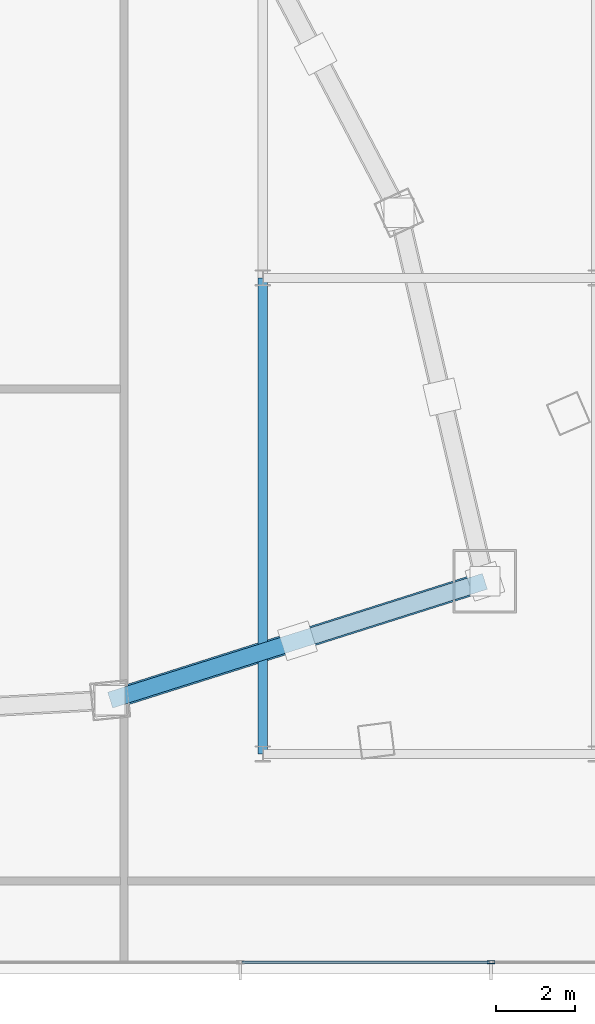
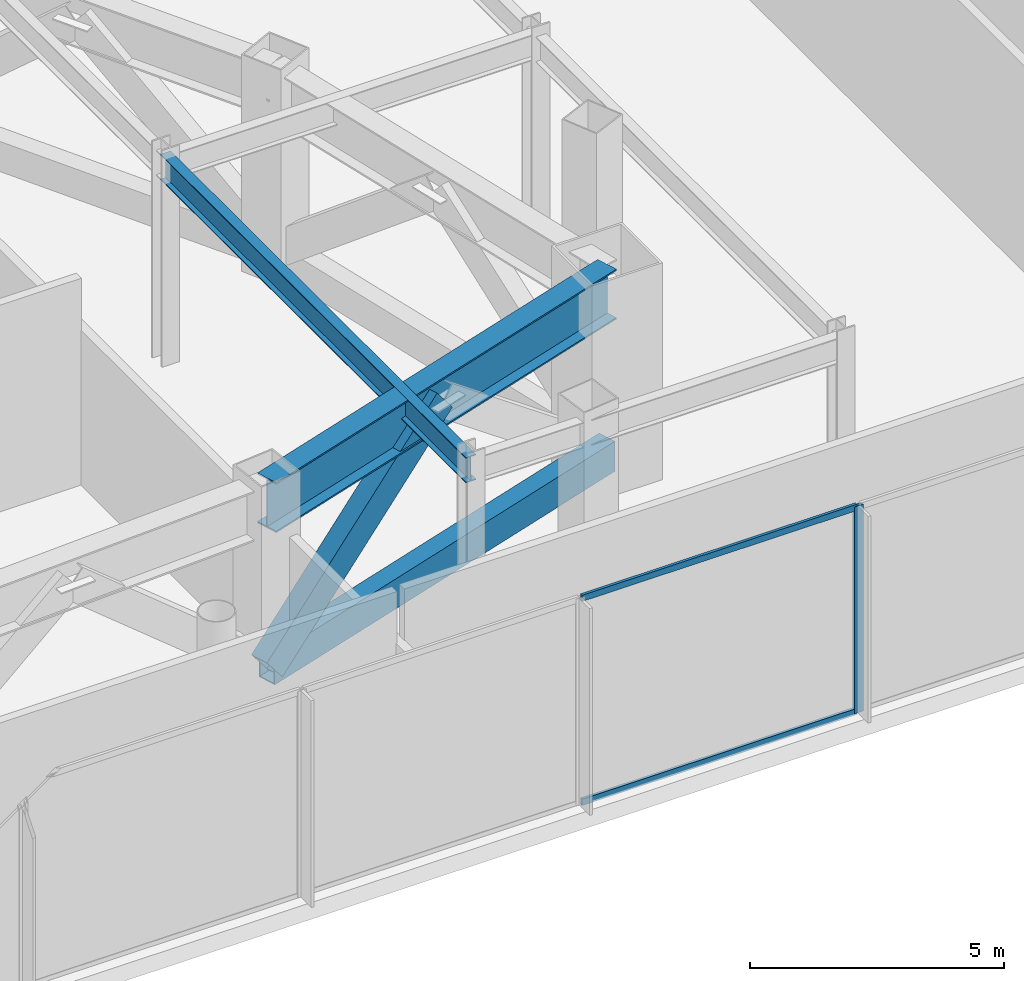
# One storey, part 13 of 43: 5 members, 2 beams, 1 element without a shape of its own.
"""IFC4 building model written with IfcOpenShell, lengths in metres."""

from ifc_helpers import new_model, si_unit, direction, frame, origin, origin_2d, place, context, subcontext, project, spatial, hollow_rectangle, i_section, extrude, material, layer, layer_set, material_profile, profile_set, type_object, element, aggregate, save


model = new_model("IFC4")

# Units and contexts
model_context = context("Model", 3, precision=1e-05, world=origin(), true_north=direction((0.0, 1.0)))
body_context = subcontext(model_context, "Body", "Model", "MODEL_VIEW")
ifc_project = project(units=[si_unit("LENGTHUNIT", "METRE"), si_unit("AREAUNIT", "SQUARE_METRE"), si_unit("VOLUMEUNIT", "CUBIC_METRE"), si_unit("PLANEANGLEUNIT", "RADIAN"), si_unit("MASSUNIT", "GRAM", prefix="KILO")], contexts=[model_context])

# Site, building, storey
site_placement = place(None, origin())
site = spatial("IfcSite", under=ifc_project, at=site_placement, CompositionType="ELEMENT")
building_placement = place(site_placement, origin())
building = spatial("IfcBuilding", under=site, at=building_placement, Name="Orvanel Arch Residences", CompositionType="ELEMENT")
storey_placement = place(building_placement, frame((0.0, 0.0, 18.39990234375)))
storey = spatial("IfcBuildingStorey", under=building, at=storey_placement, Name="L04", CompositionType="ELEMENT", Elevation=18.39990234375)

# Beam
ifc_material_1 = material(Name="Structural steel AS/NZS 3679.1 Grade 300 (300 MPa)", Category="steel")
ifc_material_profile_1 = material_profile(ifc_material_1, i_section(OverallWidth=0.22900390625, OverallDepth=0.612060546875, WebThickness=0.011962890625, FlangeThickness=0.01953125, at=origin_2d()), Name="610UB125")
ifc_profile_set_1 = profile_set([ifc_material_profile_1], Name="Structural steel AS/NZS 3679.1 Grade 300 (300 MPa)")
beam_type_1 = type_object("IfcBeamType", Name="BG-610UB", PredefinedType="BEAM", material=ifc_profile_set_1)
beam_1_placement = place(storey_placement, frame((46.199951171875, 6.0, 4.654052734375), z_axis=(0.0, 1.0, 0.0), x_axis=(-1.0, 0.0, 0.0)))
element("IfcBeam", 1, at=beam_1_placement, inside=storey, type_object=beam_type_1, Name="L04 North-South Podium Girder XE46-S", PredefinedType="BEAM", context=body_context, shape_type="SweptSolid", body=[
    extrude(i_section(OverallWidth=0.22900390625, OverallDepth=0.612060546875, WebThickness=0.011962890625, FlangeThickness=0.01953125, at=origin_2d()), origin(), (0.0, 0.0, 1.0), 12.0),
])

# Members
ifc_material_2 = material(Name="Structural steel AS/NZS 3678 Grade 350", Category="steel")
ifc_material_profile_2 = material_profile(ifc_material_2, hollow_rectangle(XDim=0.419921875, YDim=0.719970703125, WallThickness=0.02490234375, at=origin_2d()), Name="RHS720x420x25")
ifc_profile_set_2 = profile_set([ifc_material_profile_2], Name="Structural steel AS/NZS 3678 Grade 350")
member_type_1 = type_object("IfcMemberType", Name="BR-720RHS", PredefinedType="BRACE", material=ifc_profile_set_2)
member_1_placement = place(storey_placement, frame((42.35107421875, 7.35498046875, 0.4501953125), z_axis=(0.748415192189, 0.237290116224, 0.619328750215), x_axis=(-0.302229669889, 0.953235137119, 0.0)))
element("IfcMember", 2, at=member_1_placement, inside=storey, type_object=member_type_1, Name="L04 Transfer Truss Chevron Web 04.1", PredefinedType="BRACE", context=body_context, shape_type="SweptSolid", body=[
    extrude(hollow_rectangle(XDim=0.419921875, YDim=0.719970703125, WallThickness=0.02490234375, at=origin_2d()), origin(), (0.0, 0.0, 1.0), 6.313232421875),
])
ifc_material_profile_3 = material_profile(ifc_material_2, hollow_rectangle(XDim=0.419921875, YDim=0.719970703125, WallThickness=0.02490234375, at=origin_2d()), Name="RHS720x420x25")
ifc_profile_set_3 = profile_set([ifc_material_profile_3], Name="Structural steel AS/NZS 3678 Grade 350")
member_type_2 = type_object("IfcMemberType", Name="CH-720RHS", PredefinedType="CHORD", material=ifc_profile_set_3)
member_2_placement = place(storey_placement, frame((42.35107421875, 7.35498046875, 0.4501953125), z_axis=(0.953237386592, 0.302222574941, 0.0), x_axis=(-0.302222574941, 0.953237386592, 0.0)))
element("IfcMember", 3, at=member_2_placement, inside=storey, type_object=member_type_2, Name="L04 Transfer Truss Bottom Chord 04", PredefinedType="CHORD", context=body_context, shape_type="SweptSolid", body=[
    extrude(hollow_rectangle(XDim=0.419921875, YDim=0.719970703125, WallThickness=0.02490234375, at=origin_2d()), origin(), (0.0, 0.0, 1.0), 9.91357421875),
])

# Curtain wall, member
ifc_material_3 = material(Name="Bronze-anodised aluminium AA6063-T6", Category="aluminium")
ifc_layer = layer(ifc_material_3, 0.199951171875)
ifc_layer_set = layer_set([ifc_layer], Name="Bronze-anodised aluminium AA6063-T6")
curtain_wall_type = type_object("IfcCurtainWallType", Name="CW1-POD-SYS", PredefinedType="NOTDEFINED", material=ifc_layer_set)
curtain_wall_placement = place(storey_placement, origin())
curtain_wall = element("IfcCurtainWall", 4, at=curtain_wall_placement, inside=storey, type_object=curtain_wall_type, Name="L04 CW1-POD-SYS Unitised Curtain Wall", PredefinedType="NOTDEFINED")
ifc_material_profile_4 = material_profile(ifc_material_3, hollow_rectangle(XDim=0.074951171875, YDim=0.199951171875, WallThickness=0.0048828125, at=origin_2d()), Name="ALU200x75x5")
ifc_profile_set_4 = profile_set([ifc_material_profile_4], Name="Bronze-anodised aluminium AA6063-T6")
member_type_3 = type_object("IfcMemberType", Name="MUL-200x75", PredefinedType="MULLION", material=ifc_profile_set_4)
member_3_placement = place(storey_placement, frame((51.9541015625, 0.75, 0.0), z_axis=(0.0, 0.0, 1.0), x_axis=(0.0, 1.0, 0.0)))
member_3 = element("IfcMember", 5, at=member_3_placement, type_object=member_type_3, Name="CW-S1 mullion 9", PredefinedType="MULLION", context=body_context, shape_type="SweptSolid", body=[
    extrude(hollow_rectangle(XDim=0.074951171875, YDim=0.199951171875, WallThickness=0.0048828125, at=origin_2d()), origin(), (0.0, 0.0, 1.0), 4.960205078125),
])

# Beam
ifc_material_profile_5 = material_profile(ifc_material_2, i_section(OverallWidth=0.5, OverallDepth=1.199951171875, WebThickness=0.02001953125, FlangeThickness=0.035888671875, at=origin_2d()), Name="1200WB455")
ifc_profile_set_5 = profile_set([ifc_material_profile_5], Name="Structural steel AS/NZS 3678 Grade 350")
beam_type_2 = type_object("IfcBeamType", Name="TG-1200WB", PredefinedType="USERDEFINED", material=ifc_profile_set_5)
beam_2_placement = place(storey_placement, frame((42.35107421875, 7.35498046875, 4.360107421875), z_axis=(0.953237386592, 0.302222574941, 0.0), x_axis=(-0.302222574941, 0.953237386592, 0.0)))
element("IfcBeam", 6, at=beam_2_placement, inside=storey, type_object=beam_type_2, Name="L04 Podium Transfer Belt Girder 04", ObjectType="TRANSFER GIRDER", PredefinedType="USERDEFINED", context=body_context, shape_type="SweptSolid", body=[
    extrude(i_section(OverallWidth=0.5, OverallDepth=1.199951171875, WebThickness=0.02001953125, FlangeThickness=0.035888671875, at=origin_2d()), origin(), (0.0, 0.0, 1.0), 9.91357421875),
])

# Member
ifc_material_profile_6 = material_profile(ifc_material_3, hollow_rectangle(XDim=0.06494140625, YDim=0.14990234375, WallThickness=0.00390625, at=origin_2d()), Name="ALU150x65x4")
ifc_profile_set_6 = profile_set([ifc_material_profile_6], Name="Bronze-anodised aluminium AA6063-T6")
member_type_4 = type_object("IfcMemberType", Name="TRN-150x65", PredefinedType="USERDEFINED", material=ifc_profile_set_6)
member_4_placement = place(storey_placement, frame((45.673583984375, 0.75, 0.03271484375), z_axis=(1.0, 0.0, 0.0), x_axis=(0.0, 1.0, 0.0)))
member_4 = element("IfcMember", 7, at=member_4_placement, type_object=member_type_4, Name="CW-S1 transom 8.1", ObjectType="TRANSOM", PredefinedType="USERDEFINED", context=body_context, shape_type="SweptSolid", body=[
    extrude(hollow_rectangle(XDim=0.06494140625, YDim=0.14990234375, WallThickness=0.00390625, at=origin_2d()), origin(), (0.0, 0.0, 1.0), 6.242919921875),
])

member_5_placement = place(storey_placement, frame((45.673583984375, 0.75, 4.927490234375), z_axis=(1.0, 0.0, 0.0), x_axis=(0.0, 1.0, 0.0)))
member_5 = element("IfcMember", 8, at=member_5_placement, type_object=member_type_4, Name="CW-S1 transom 8.2", ObjectType="TRANSOM", PredefinedType="USERDEFINED", context=body_context, shape_type="SweptSolid", body=[
    extrude(hollow_rectangle(XDim=0.06494140625, YDim=0.14990234375, WallThickness=0.00390625, at=origin_2d()), origin(), (0.0, 0.0, 1.0), 6.242919921875),
])

aggregate(curtain_wall, [member_3, member_4, member_5])

save(model, "model.ifc")
